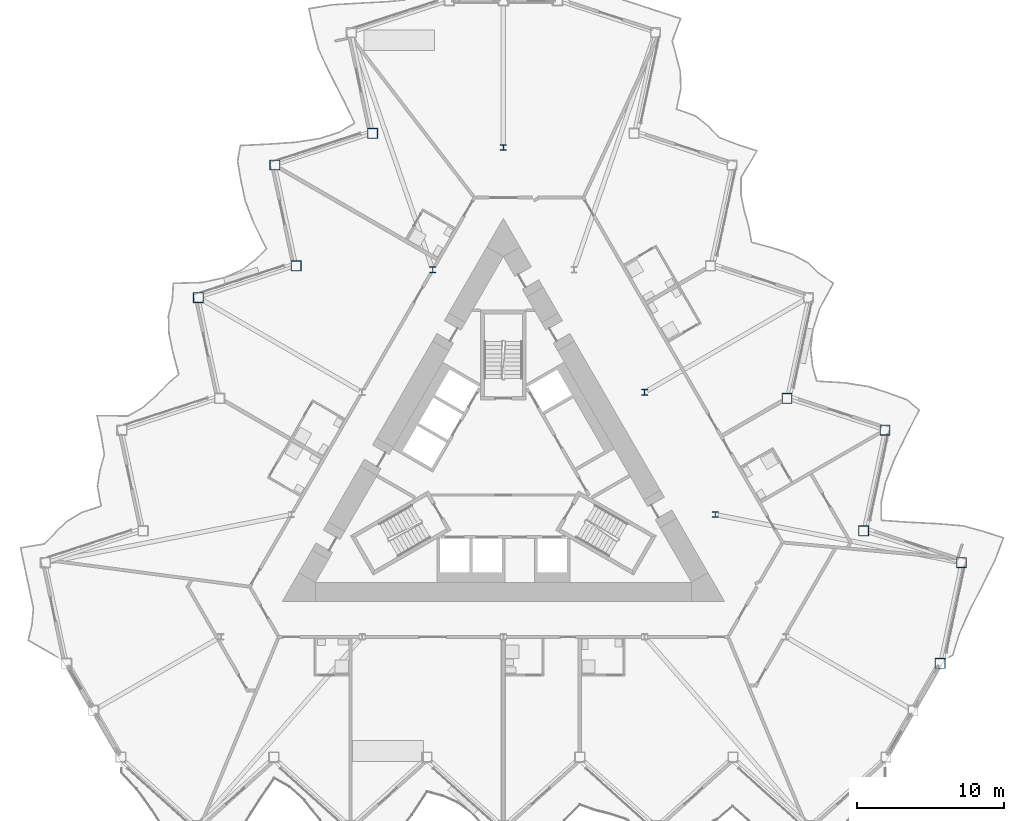
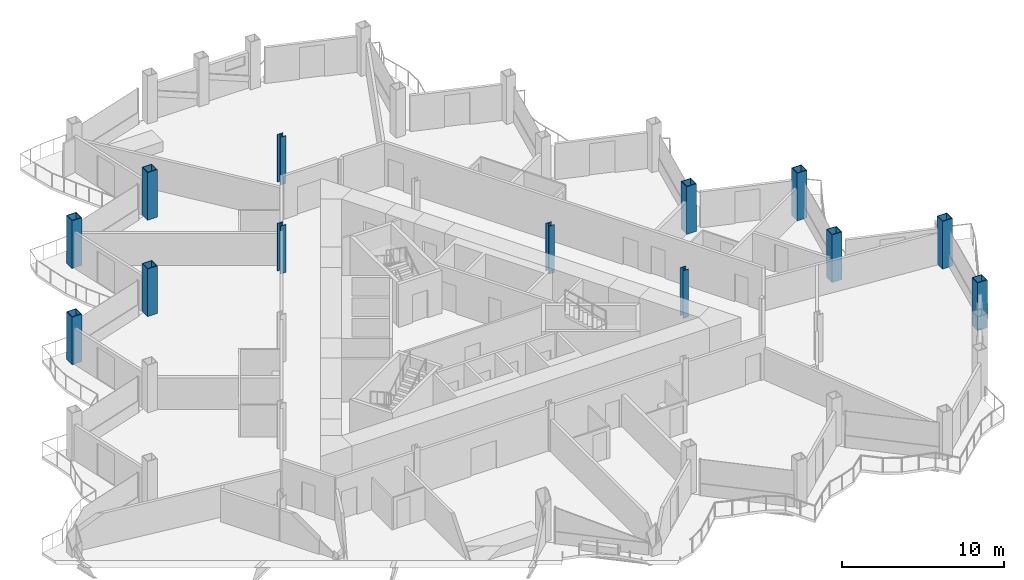
# One storey, part 2 of 23: 13 columns.
"""IFC4 building model written with IfcOpenShell, lengths in metres."""

from ifc_helpers import new_model, si_unit, direction, frame, origin, origin_2d, place, context, subcontext, project, spatial, hollow_rectangle, i_section, extrude, material, material_profile, profile_set, type_object, element, save


model = new_model("IFC4")

# Units and contexts
model_context = context("Model", 3, precision=1e-05, world=origin(), true_north=direction((0.0, 1.0)))
body_context = subcontext(model_context, "Body", "Model", "MODEL_VIEW")
ifc_project = project(units=[si_unit("LENGTHUNIT", "METRE"), si_unit("AREAUNIT", "SQUARE_METRE"), si_unit("VOLUMEUNIT", "CUBIC_METRE"), si_unit("PLANEANGLEUNIT", "RADIAN"), si_unit("MASSUNIT", "GRAM", prefix="KILO")], contexts=[model_context])

# Site, building, storey
site_placement = place(None, origin())
site = spatial("IfcSite", under=ifc_project, at=site_placement, CompositionType="ELEMENT")
building_placement = place(site_placement, origin())
building = spatial("IfcBuilding", under=site, at=building_placement, Name="Cormorant Prow Tower", CompositionType="ELEMENT")
storey_placement = place(building_placement, frame((0.0, 0.0, 259.800048828125)))
storey = spatial("IfcBuildingStorey", under=building, at=storey_placement, Name="L58", CompositionType="ELEMENT", Elevation=259.800048828125)

# Columns
ifc_material_1 = material(Name="Structural steel ASTM A572 Gr 50", Category="steel")
ifc_material_profile_1 = material_profile(ifc_material_1, hollow_rectangle(XDim=0.699951171875, YDim=0.699951171875, WallThickness=0.044921875, at=origin_2d()), Name="Box 700x700x45")
ifc_profile_set_1 = profile_set([ifc_material_profile_1], Name="Structural steel ASTM A572 Gr 50")
column_type_1 = type_object("IfcColumnType", Name="Perimeter box column 700x700x45", PredefinedType="COLUMN", material=ifc_profile_set_1)
for number, where, z_axis, x_axis, name in (
    (1, (29.611572265625, -12.858154296875, 0.0), (0.0, 0.0, 1.0), (1.0, 0.0, 0.0), "Perimeter column C5 at ENE00 L58"),
    (2, (31.063232421875, -6.029052734375, 0.0), (0.0, 0.0, 1.0), (1.0, 0.0, 0.0), "Perimeter column C5 at ENE01 L58"),
    (3, (24.42333984375, -3.871826171875, 0.0), (0.0, 0.0, 1.0), (1.0, 0.0, 0.0), "Perimeter column C5 at ENE02 L58"),
    (4, (25.875, 2.957275390625, 0.0), (0.0, 0.0, 1.0), (1.0, 0.0, 0.0), "Perimeter column C5 at ENE03 L58"),
    (5, (19.235107421875, 5.114501953125, 0.0), (0.0, 0.0, 1.0), (1.0, 0.0, 0.0), "Perimeter column C5 at ENE04 L58"),
    (6, (-8.858642578125, 23.087158203125, 0.0), (0.0, 0.0, 1.0), (1.0, 0.0, 0.0), "Perimeter column C5 at WNW02 L58"),
    (7, (-15.49853515625, 20.9296875, 0.0), (0.0, 0.0, 1.0), (1.0, 0.0, 0.0), "Perimeter column C5 at WNW03 L58"),
    (8, (-14.046875, 14.100830078125, 0.0), (0.0, 0.0, 1.0), (1.0, 0.0, 0.0), "Perimeter column C5 at WNW04 L58"),
    (9, (-20.686767578125, 11.943359375, 0.0), (0.0, 0.0, 1.0), (1.0, 0.0, 0.0), "Perimeter column C5 at WNW05 L58"),
):
    element("IfcColumn", number, at=place(storey_placement, frame(where, z_axis=z_axis, x_axis=x_axis)), inside=storey, type_object=column_type_1, Name=name, PredefinedType="COLUMN", context=body_context, shape_type="SweptSolid", body=[
        extrude(hollow_rectangle(XDim=0.699951171875, YDim=0.699951171875, WallThickness=0.044921875, at=origin_2d()), origin(), (0.0, 0.0, 1.0), 3.599853515625),
    ])
ifc_material_2 = material(Name="Structural steel ASTM A992 Gr 50", Category="steel")
ifc_material_profile_2 = material_profile(ifc_material_2, i_section(OverallWidth=0.39892578125, OverallDepth=0.393310546875, WebThickness=0.022705078125, FlangeThickness=0.03662109375, at=origin_2d()), Name="W14x193")
ifc_profile_set_2 = profile_set([ifc_material_profile_2], Name="Structural steel ASTM A992 Gr 50")
column_type_2 = type_object("IfcColumnType", Name="Ring column W14x193", PredefinedType="COLUMN", material=ifc_profile_set_2)
for number, where, z_axis, x_axis, name in (
    (10, (0.0, 22.12060546875, 0.0), (0.0, 0.0, 1.0), (1.0, 0.0, 0.0), "Ring column 1 L58"),
    (11, (-4.789306640625, 13.8251953125, 0.0), (0.0, 0.0, 1.0), (1.0, 0.0, 0.0), "Ring column 2 L58"),
    (12, (14.36767578125, -2.76513671875, 0.0), (0.0, 0.0, 1.0), (1.0, 0.0, 0.0), "Ring column 10 L58"),
    (13, (9.578369140625, 5.530029296875, 0.0), (0.0, 0.0, 1.0), (1.0, 0.0, 0.0), "Ring column 11 L58"),
):
    element("IfcColumn", number, at=place(storey_placement, frame(where, z_axis=z_axis, x_axis=x_axis)), inside=storey, type_object=column_type_2, Name=name, PredefinedType="COLUMN", context=body_context, shape_type="SweptSolid", body=[
        extrude(i_section(OverallWidth=0.39892578125, OverallDepth=0.393310546875, WebThickness=0.022705078125, FlangeThickness=0.03662109375, at=origin_2d()), origin(), (0.0, 0.0, 1.0), 3.599853515625),
    ])

save(model, "model.ifc")
